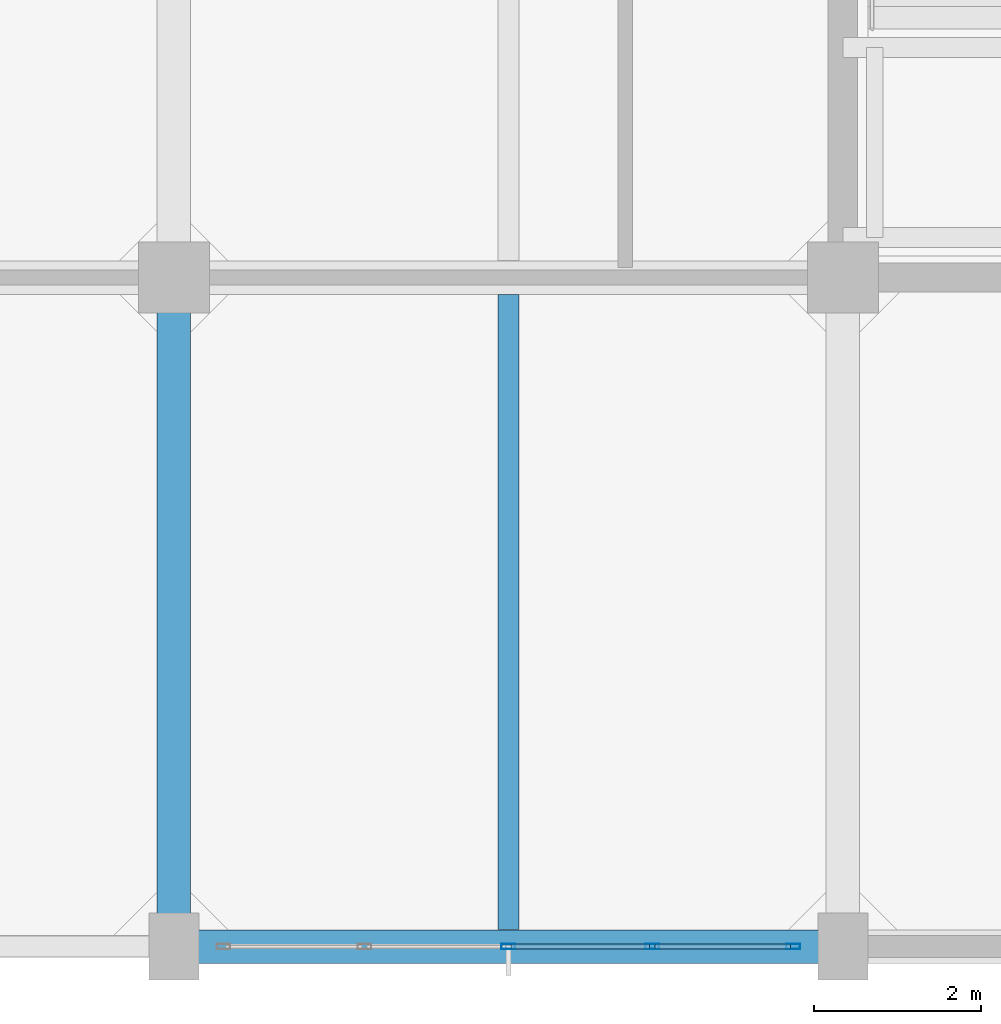
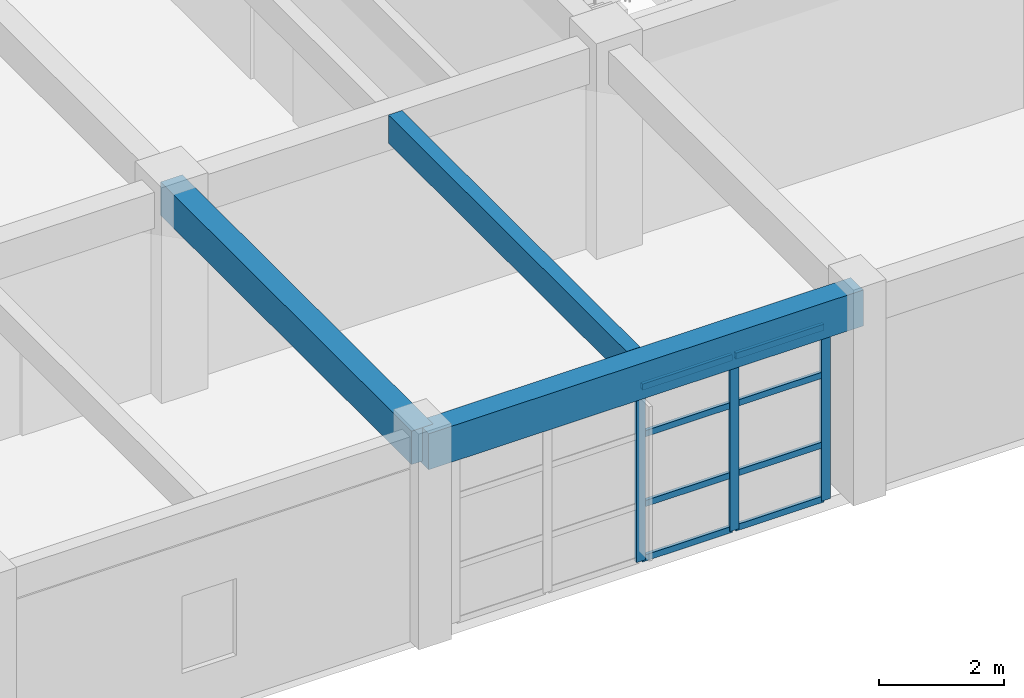
# One storey, part 3 of 27: 11 members, 3 beams, 1 element without a shape of its own.
"""IFC4 building model written with IfcOpenShell, lengths in metres."""

from ifc_helpers import new_model, si_unit, direction, frame, origin, origin_2d, place, context, subcontext, project, spatial, rectangle, hollow_rectangle, extrude, material, layer, layer_set, material_profile, profile_set, type_object, element, aggregate, save


model = new_model("IFC4")

# Units and contexts
model_context = context("Model", 3, precision=1e-05, world=origin(), true_north=direction((0.0, 1.0)))
body_context = subcontext(model_context, "Body", "Model", "MODEL_VIEW")
ifc_project = project(units=[si_unit("LENGTHUNIT", "METRE"), si_unit("AREAUNIT", "SQUARE_METRE"), si_unit("VOLUMEUNIT", "CUBIC_METRE"), si_unit("PLANEANGLEUNIT", "RADIAN"), si_unit("MASSUNIT", "GRAM", prefix="KILO")], contexts=[model_context])

# Site, building, storey
site_placement = place(None, origin())
site = spatial("IfcSite", under=ifc_project, at=site_placement, CompositionType="ELEMENT")
building_placement = place(site_placement, origin())
building = spatial("IfcBuilding", under=site, at=building_placement, Name="Canggui Botanical Conservatory", CompositionType="ELEMENT")
storey_placement = place(building_placement, frame((0.0, 0.0, 31.800048828125)))
storey = spatial("IfcBuildingStorey", under=building, at=storey_placement, Name="L08", CompositionType="ELEMENT", Elevation=31.800048828125)

# Beams
ifc_material_1 = material(Name="Concrete C35", Category="concrete")
ifc_material_profile_1 = material_profile(ifc_material_1, rectangle(XDim=0.25, YDim=0.550048828125, at=origin_2d()), Name="RB 250x550")
ifc_profile_set_1 = profile_set([ifc_material_profile_1], Name="Concrete C35")
beam_type_1 = type_object("IfcBeamType", Name="BM-JST03", PredefinedType="JOIST", material=ifc_profile_set_1)
beam_1_placement = place(storey_placement, frame((150.0, 34.205078125, 3.704833984375), z_axis=(0.0, 1.0, 0.0), x_axis=(-1.0, 0.0, 0.0)))
element("IfcBeam", 1, at=beam_1_placement, inside=storey, type_object=beam_type_1, Name="Secondary Floor Joist L08-2-1", PredefinedType="JOIST", context=body_context, shape_type="SweptSolid", body=[
    extrude(rectangle(XDim=0.25, YDim=0.550048828125, at=origin_2d()), origin(), (0.0, 0.0, 1.0), 7.58984375),
])
ifc_material_profile_2 = material_profile(ifc_material_1, rectangle(XDim=0.39990234375, YDim=0.699951171875, at=origin_2d()), Name="RB 400x700")
ifc_profile_set_2 = profile_set([ifc_material_profile_2], Name="Concrete C35")
beam_type_2 = type_object("IfcBeamType", Name="BM-KL11", PredefinedType="BEAM", material=ifc_profile_set_2)
beam_2_placement = place(storey_placement, frame((146.0, 34.0, 3.6298828125), z_axis=(1.0, 0.0, 0.0), x_axis=(0.0, 1.0, 0.0)))
element("IfcBeam", 2, at=beam_2_placement, inside=storey, type_object=beam_type_2, Name="Frame Girder L08 Y34-2", PredefinedType="BEAM", context=body_context, shape_type="SweptSolid", body=[
    extrude(rectangle(XDim=0.39990234375, YDim=0.699951171875, at=origin_2d()), origin(), (0.0, 0.0, 1.0), 8.0),
])
ifc_material_profile_3 = material_profile(ifc_material_1, rectangle(XDim=0.39990234375, YDim=0.64990234375, at=origin_2d()), Name="RB 400x650")
ifc_profile_set_3 = profile_set([ifc_material_profile_3], Name="Concrete C35")
beam_type_3 = type_object("IfcBeamType", Name="BM-KL12", PredefinedType="BEAM", material=ifc_profile_set_3)
beam_3_placement = place(storey_placement, frame((146.0, 34.0, 3.655029296875), z_axis=(0.0, 1.0, 0.0), x_axis=(-1.0, 0.0, 0.0)))
element("IfcBeam", 3, at=beam_3_placement, inside=storey, type_object=beam_type_3, Name="Frame Girder L08 X146-1", PredefinedType="BEAM", context=body_context, shape_type="SweptSolid", body=[
    extrude(rectangle(XDim=0.39990234375, YDim=0.64990234375, at=origin_2d()), origin(), (0.0, 0.0, 1.0), 8.0),
])

# Curtain wall, members
ifc_material_2 = material(Name="Thermally Broken Aluminium", Category="aluminium")
ifc_layer = layer(ifc_material_2, 0.1650390625, Name="Thermally Broken Aluminium", Category="aluminium")
ifc_layer_set = layer_set([ifc_layer], Name="Thermally Broken Aluminium")
curtain_wall_type = type_object("IfcCurtainWallType", Name="CW-UNIT-B", PredefinedType="USERDEFINED", material=ifc_layer_set)
curtain_wall_placement = place(storey_placement, origin())
curtain_wall = element("IfcCurtainWall", 4, at=curtain_wall_placement, inside=storey, type_object=curtain_wall_type, Name="Facade Curtain Wall CW-TWR-L08-04", ObjectType="UNITISED CURTAIN WALL", PredefinedType="USERDEFINED")
ifc_material_profile_4 = material_profile(ifc_material_2, hollow_rectangle(XDim=0.06494140625, YDim=0.1650390625, WallThickness=0.00390625, at=origin_2d()), Name="CWM 65x165x4")
ifc_profile_set_4 = profile_set([ifc_material_profile_4], Name="Thermally Broken Aluminium")
member_type_1 = type_object("IfcMemberType", Name="CWM-02", PredefinedType="MULLION", material=ifc_profile_set_4)
member_1_placement = place(storey_placement, frame((153.407470703125, 34.0, 0.0), z_axis=(0.0, 0.0, 1.0), x_axis=(0.0, -1.0, 0.0)))
member_1 = element("IfcMember", 5, at=member_1_placement, type_object=member_type_1, Name="CW-02 mullion 1", PredefinedType="MULLION", context=body_context, shape_type="SweptSolid", body=[
    extrude(hollow_rectangle(XDim=0.06494140625, YDim=0.1650390625, WallThickness=0.00390625, at=origin_2d()), origin(), (0.0, 0.0, 1.0), 3.39990234375),
])
member_2_placement = place(storey_placement, frame((151.719970703125, 34.0, 0.0), z_axis=(0.0, 0.0, 1.0), x_axis=(0.0, -1.0, 0.0)))
member_2 = element("IfcMember", 6, at=member_2_placement, type_object=member_type_1, Name="CW-02 mullion 2", PredefinedType="MULLION", context=body_context, shape_type="SweptSolid", body=[
    extrude(hollow_rectangle(XDim=0.06494140625, YDim=0.1650390625, WallThickness=0.00390625, at=origin_2d()), origin(), (0.0, 0.0, 1.0), 3.39990234375),
])
member_3_placement = place(storey_placement, frame((150.0, 34.0, 0.0), z_axis=(0.0, 0.0, 1.0), x_axis=(0.0, -1.0, 0.0)))
member_3 = element("IfcMember", 7, at=member_3_placement, type_object=member_type_1, Name="CW-02 mullion 3", PredefinedType="MULLION", context=body_context, shape_type="SweptSolid", body=[
    extrude(hollow_rectangle(XDim=0.06494140625, YDim=0.1650390625, WallThickness=0.00390625, at=origin_2d()), origin(), (0.0, 0.0, 1.0), 3.39990234375),
])
ifc_material_profile_5 = material_profile(ifc_material_2, hollow_rectangle(XDim=0.06005859375, YDim=0.1201171875, WallThickness=0.00341796875, at=origin_2d()), Name="CWT 60x120x3.5")
ifc_profile_set_5 = profile_set([ifc_material_profile_5], Name="Thermally Broken Aluminium")
member_type_2 = type_object("IfcMemberType", Name="CWT-02", PredefinedType="USERDEFINED", material=ifc_profile_set_5)
member_4_placement = place(storey_placement, frame((153.375, 34.0, 0.030029296875), z_axis=(-1.0, 0.0, 0.0), x_axis=(0.0, -1.0, 0.0)))
member_4 = element("IfcMember", 8, at=member_4_placement, type_object=member_type_2, Name="CW-02 transom 1.1", ObjectType="TRANSOM", PredefinedType="USERDEFINED", context=body_context, shape_type="SweptSolid", body=[
    extrude(hollow_rectangle(XDim=0.06005859375, YDim=0.1201171875, WallThickness=0.00341796875, at=origin_2d()), origin(), (0.0, 0.0, 1.0), 1.62255859375),
])
member_5_placement = place(storey_placement, frame((153.375, 34.0, 1.087890625), z_axis=(-1.0, 0.0, 0.0), x_axis=(0.0, -1.0, 0.0)))
member_5 = element("IfcMember", 9, at=member_5_placement, type_object=member_type_2, Name="CW-02 transom 1.2", ObjectType="TRANSOM", PredefinedType="USERDEFINED", context=body_context, shape_type="SweptSolid", body=[
    extrude(hollow_rectangle(XDim=0.06005859375, YDim=0.1201171875, WallThickness=0.00341796875, at=origin_2d()), origin(), (0.0, 0.0, 1.0), 1.62255859375),
])
member_6_placement = place(storey_placement, frame((153.375, 34.0, 2.447998046875), z_axis=(-1.0, 0.0, 0.0), x_axis=(0.0, -1.0, 0.0)))
member_6 = element("IfcMember", 10, at=member_6_placement, type_object=member_type_2, Name="CW-02 transom 1.3", ObjectType="TRANSOM", PredefinedType="USERDEFINED", context=body_context, shape_type="SweptSolid", body=[
    extrude(hollow_rectangle(XDim=0.06005859375, YDim=0.1201171875, WallThickness=0.00341796875, at=origin_2d()), origin(), (0.0, 0.0, 1.0), 1.62255859375),
])
member_7_placement = place(storey_placement, frame((153.375, 34.0, 3.369873046875), z_axis=(-1.0, 0.0, 0.0), x_axis=(0.0, -1.0, 0.0)))
member_7 = element("IfcMember", 11, at=member_7_placement, type_object=member_type_2, Name="CW-02 transom 1.4", ObjectType="TRANSOM", PredefinedType="USERDEFINED", context=body_context, shape_type="SweptSolid", body=[
    extrude(hollow_rectangle(XDim=0.06005859375, YDim=0.1201171875, WallThickness=0.00341796875, at=origin_2d()), origin(), (0.0, 0.0, 1.0), 1.62255859375),
])
member_8_placement = place(storey_placement, frame((151.6875, 34.0, 0.030029296875), z_axis=(-1.0, 0.0, 0.0), x_axis=(0.0, -1.0, 0.0)))
member_8 = element("IfcMember", 12, at=member_8_placement, type_object=member_type_2, Name="CW-02 transom 2.1", ObjectType="TRANSOM", PredefinedType="USERDEFINED", context=body_context, shape_type="SweptSolid", body=[
    extrude(hollow_rectangle(XDim=0.06005859375, YDim=0.1201171875, WallThickness=0.00341796875, at=origin_2d()), origin(), (0.0, 0.0, 1.0), 1.655029296875),
])
member_9_placement = place(storey_placement, frame((151.6875, 34.0, 1.087890625), z_axis=(-1.0, 0.0, 0.0), x_axis=(0.0, -1.0, 0.0)))
member_9 = element("IfcMember", 13, at=member_9_placement, type_object=member_type_2, Name="CW-02 transom 2.2", ObjectType="TRANSOM", PredefinedType="USERDEFINED", context=body_context, shape_type="SweptSolid", body=[
    extrude(hollow_rectangle(XDim=0.06005859375, YDim=0.1201171875, WallThickness=0.00341796875, at=origin_2d()), origin(), (0.0, 0.0, 1.0), 1.655029296875),
])
member_10_placement = place(storey_placement, frame((151.6875, 34.0, 2.447998046875), z_axis=(-1.0, 0.0, 0.0), x_axis=(0.0, -1.0, 0.0)))
member_10 = element("IfcMember", 14, at=member_10_placement, type_object=member_type_2, Name="CW-02 transom 2.3", ObjectType="TRANSOM", PredefinedType="USERDEFINED", context=body_context, shape_type="SweptSolid", body=[
    extrude(hollow_rectangle(XDim=0.06005859375, YDim=0.1201171875, WallThickness=0.00341796875, at=origin_2d()), origin(), (0.0, 0.0, 1.0), 1.655029296875),
])
member_11_placement = place(storey_placement, frame((151.6875, 34.0, 3.369873046875), z_axis=(-1.0, 0.0, 0.0), x_axis=(0.0, -1.0, 0.0)))
member_11 = element("IfcMember", 15, at=member_11_placement, type_object=member_type_2, Name="CW-02 transom 2.4", ObjectType="TRANSOM", PredefinedType="USERDEFINED", context=body_context, shape_type="SweptSolid", body=[
    extrude(hollow_rectangle(XDim=0.06005859375, YDim=0.1201171875, WallThickness=0.00341796875, at=origin_2d()), origin(), (0.0, 0.0, 1.0), 1.655029296875),
])
aggregate(curtain_wall, [member_1, member_2, member_3, member_4, member_5, member_6, member_7, member_8, member_9, member_10, member_11])

save(model, "model.ifc")
